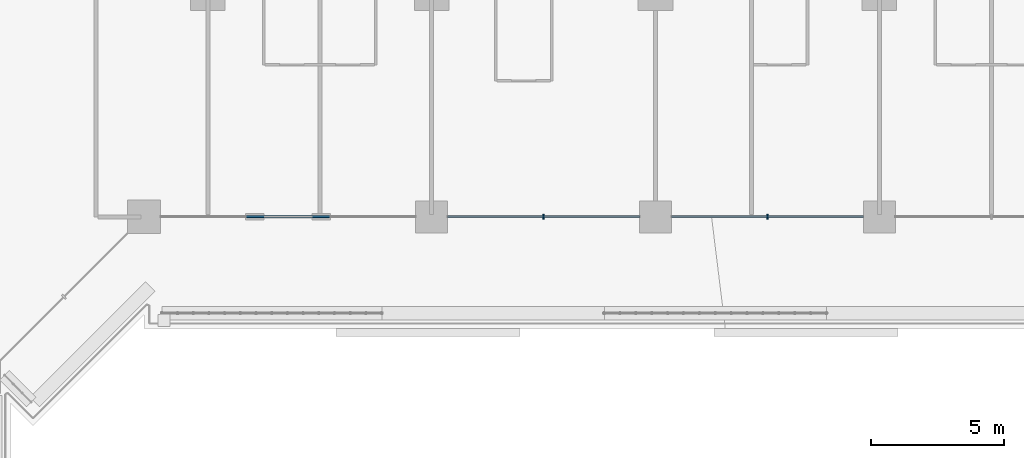
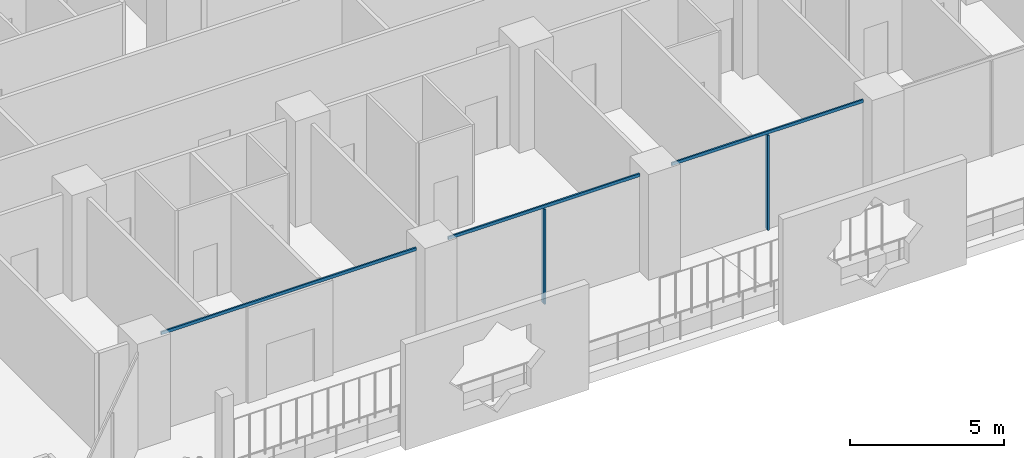
# One storey, part 6 of 29: 5 members, 1 element without a shape of its own.
"""IFC4 building model written with IfcOpenShell, lengths in metres."""

from ifc_helpers import new_model, si_unit, direction, frame, origin, origin_2d, place, context, subcontext, project, spatial, rectangle, extrude, material, layer, layer_set, material_profile, profile_set, type_object, element, aggregate, save


model = new_model("IFC4")

# Units and contexts
model_context = context("Model", 3, precision=1e-05, world=origin(), true_north=direction((0.0, 1.0)))
body_context = subcontext(model_context, "Body", "Model", "MODEL_VIEW")
ifc_project = project(units=[si_unit("LENGTHUNIT", "METRE"), si_unit("AREAUNIT", "SQUARE_METRE"), si_unit("VOLUMEUNIT", "CUBIC_METRE"), si_unit("PLANEANGLEUNIT", "RADIAN"), si_unit("MASSUNIT", "GRAM", prefix="KILO")], contexts=[model_context])

# Site, building, storey
site_placement = place(None, origin())
site = spatial("IfcSite", under=ifc_project, at=site_placement, CompositionType="ELEMENT")
building_placement = place(site_placement, origin())
building = spatial("IfcBuilding", under=site, at=building_placement, Name="Kawkab Arch Medical Tower", CompositionType="ELEMENT")
storey_placement = place(building_placement, frame((0.0, 0.0, 64.39990234375)))
storey = spatial("IfcBuildingStorey", under=building, at=storey_placement, Name="L14", CompositionType="ELEMENT", Elevation=64.39990234375)

# Curtain wall, members
ifc_material_1 = material(Name="Bronze anodised aluminium curtain wall frame", Category="aluminium")
ifc_layer = layer(ifc_material_1, 0.159912109375)
ifc_layer_set = layer_set([ifc_layer], Name="Bronze anodised aluminium curtain wall frame")
curtain_wall_type = type_object("IfcCurtainWallType", Name="CW1 ward curtain wall", PredefinedType="NOTDEFINED", material=ifc_layer_set)
curtain_wall_placement = place(storey_placement, origin())
curtain_wall = element("IfcCurtainWall", 1, at=curtain_wall_placement, inside=storey, type_object=curtain_wall_type, Name="CW1 Ward curtain wall R07", PredefinedType="NOTDEFINED")
ifc_material_2 = material(Name="Bronze anodised aluminium curtain wall frame", Category="aluminium")
ifc_material_profile_1 = material_profile(ifc_material_2, rectangle(XDim=0.179931640625, YDim=0.06005859375, at=origin_2d()), Name="AL 60x180")
ifc_profile_set_1 = profile_set([ifc_material_profile_1], Name="Bronze anodised aluminium curtain wall frame")
member_type_1 = type_object("IfcMemberType", Name="CW1 mullion 60 x 180", PredefinedType="MULLION", material=ifc_profile_set_1)
member_1_placement = place(storey_placement, frame((46.199951171875, -25.199951171875, 0.0), z_axis=(0.0, 0.0, 1.0), x_axis=(0.0, 1.0, 0.0)))
member_1 = element("IfcMember", 2, at=member_1_placement, type_object=member_type_1, Name="CW1 mullion 2.1", PredefinedType="MULLION", context=body_context, shape_type="SweptSolid", body=[
    extrude(rectangle(XDim=0.179931640625, YDim=0.06005859375, at=origin_2d()), origin(), (0.0, 0.0, 1.0), 3.780029296875),
])
member_2_placement = place(storey_placement, frame((54.60009765625, -25.199951171875, 0.0), z_axis=(0.0, 0.0, 1.0), x_axis=(0.0, 1.0, 0.0)))
member_2 = element("IfcMember", 3, at=member_2_placement, type_object=member_type_1, Name="CW1 mullion 3.1", PredefinedType="MULLION", context=body_context, shape_type="SweptSolid", body=[
    extrude(rectangle(XDim=0.179931640625, YDim=0.06005859375, at=origin_2d()), origin(), (0.0, 0.0, 1.0), 3.780029296875),
])
ifc_material_3 = material(Name="Bronze anodised aluminium curtain wall frame", Category="aluminium")
ifc_material_profile_2 = material_profile(ifc_material_3, rectangle(XDim=0.06005859375, YDim=0.1201171875, at=origin_2d()), Name="AL 60x120")
ifc_profile_set_2 = profile_set([ifc_material_profile_2], Name="Bronze anodised aluminium curtain wall frame")
member_type_2 = type_object("IfcMemberType", Name="CW1 transom 120 x 60", PredefinedType="USERDEFINED", material=ifc_profile_set_2)
member_3_placement = place(storey_placement, frame((31.824951171875, -25.199951171875, 3.840087890625), z_axis=(1.0, 0.0, 0.0), x_axis=(0.0, 1.0, 0.0)))
member_3 = element("IfcMember", 4, at=member_3_placement, type_object=member_type_2, Name="CW1 transom 1", ObjectType="TRANSOM", PredefinedType="USERDEFINED", context=body_context, shape_type="SweptSolid", body=[
    extrude(rectangle(XDim=0.06005859375, YDim=0.1201171875, at=origin_2d()), origin(), (0.0, 0.0, 1.0), 9.574951171875),
])
member_4_placement = place(storey_placement, frame((42.60009765625, -25.199951171875, 3.840087890625), z_axis=(1.0, 0.0, 0.0), x_axis=(0.0, 1.0, 0.0)))
member_4 = element("IfcMember", 5, at=member_4_placement, type_object=member_type_2, Name="CW1 transom 2", ObjectType="TRANSOM", PredefinedType="USERDEFINED", context=body_context, shape_type="SweptSolid", body=[
    extrude(rectangle(XDim=0.06005859375, YDim=0.1201171875, at=origin_2d()), origin(), (0.0, 0.0, 1.0), 7.199951171875),
])
member_5_placement = place(storey_placement, frame((51.0, -25.199951171875, 3.840087890625), z_axis=(1.0, 0.0, 0.0), x_axis=(0.0, 1.0, 0.0)))
member_5 = element("IfcMember", 6, at=member_5_placement, type_object=member_type_2, Name="CW1 transom 3", ObjectType="TRANSOM", PredefinedType="USERDEFINED", context=body_context, shape_type="SweptSolid", body=[
    extrude(rectangle(XDim=0.06005859375, YDim=0.1201171875, at=origin_2d()), origin(), (0.0, 0.0, 1.0), 7.199951171875),
])
aggregate(curtain_wall, [member_3, member_4, member_1, member_5, member_2])

save(model, "model.ifc")
